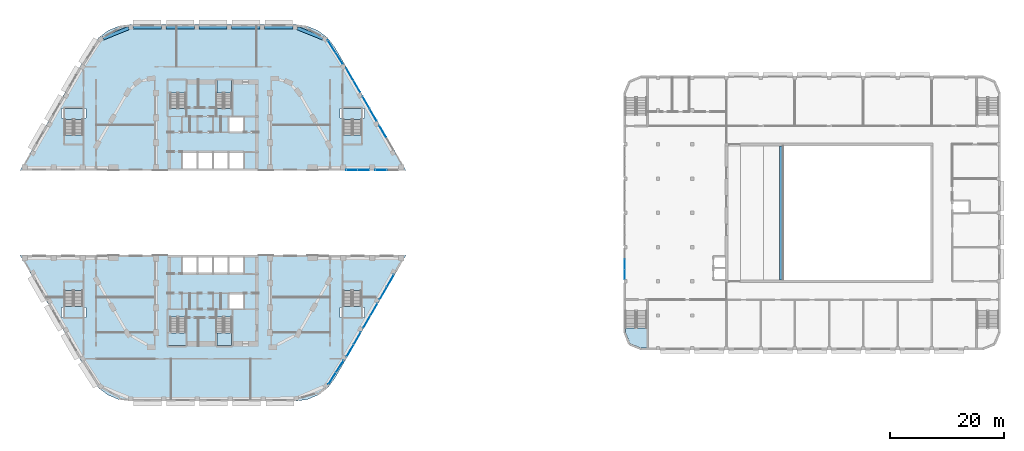
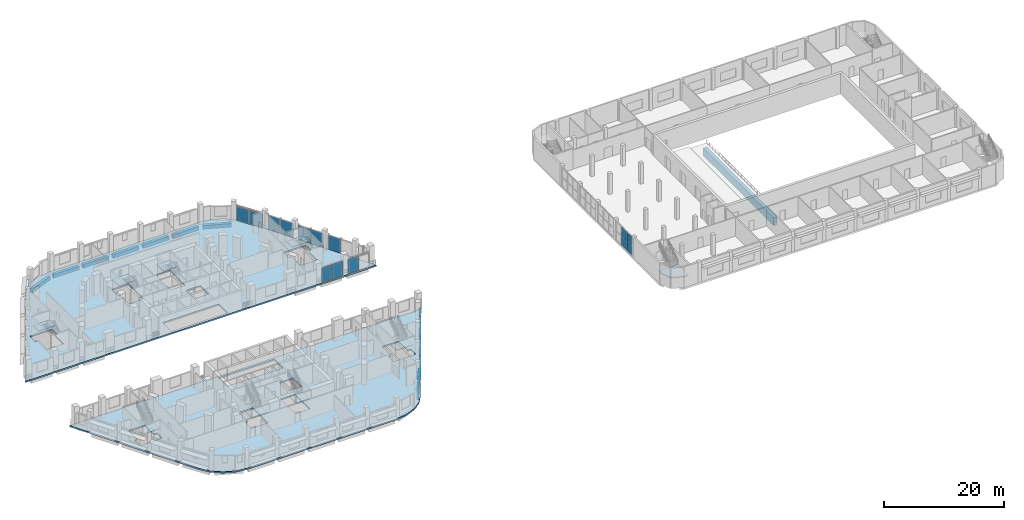
# One storey, part 10 of 45: 22 plates, 11 slabs, 8 beams, 20 elements without a shape of their own.
"""IFC4 building model written with IfcOpenShell, lengths in metres."""

from ifc_helpers import new_model, si_unit, direction, frame, origin, origin_2d, place, context, subcontext, project, spatial, polyline, rectangle, outline, extrude, material, layer, layer_set, material_profile, profile_set, type_object, element, aggregate, save


model = new_model("IFC4")

# Units and contexts
model_context = context("Model", 3, precision=1e-05, world=origin(), true_north=direction((0.0, 1.0)))
body_context = subcontext(model_context, "Body", "Model", "MODEL_VIEW")
ifc_project = project(units=[si_unit("LENGTHUNIT", "METRE"), si_unit("AREAUNIT", "SQUARE_METRE"), si_unit("VOLUMEUNIT", "CUBIC_METRE"), si_unit("PLANEANGLEUNIT", "RADIAN"), si_unit("MASSUNIT", "GRAM", prefix="KILO")], contexts=[model_context])

# Site, building, storey
site_placement = place(None, origin())
site = spatial("IfcSite", under=ifc_project, at=site_placement, CompositionType="ELEMENT")
building_placement = place(site_placement, origin())
building = spatial("IfcBuilding", under=site, at=building_placement, Name="Nakaniwa Court", CompositionType="ELEMENT")
storey_placement = place(building_placement, frame((0.0, 0.0, 11.39990234375)))
storey = spatial("IfcBuildingStorey", under=building, at=storey_placement, Name="L02", CompositionType="ELEMENT", Elevation=11.39990234375)

# Beams
ifc_material_1 = material(Name="Concrete C100/115", Category="concrete")
ifc_material_profile_1 = material_profile(ifc_material_1, rectangle(XDim=0.60009765625, YDim=0.75, at=origin_2d()), Name="Concrete C100/115 RC 600x750 ring beam")
ifc_profile_set_1 = profile_set([ifc_material_profile_1], Name="Concrete C100/115")
beam_type_1 = type_object("IfcBeamType", Name="Concrete C100/115 RC 600x750 ring beam", PredefinedType="BEAM", material=ifc_profile_set_1)
beam_1_placement = place(storey_placement, frame((65.212646484375, 112.39453125, -0.6748046875), z_axis=(-0.926515861433, -0.376255708945, 0.0), x_axis=(0.376255708945, -0.926515861433, 0.0)))
element("IfcBeam", 1, at=beam_1_placement, inside=storey, type_object=beam_type_1, Name="RING BEAM", PredefinedType="BEAM", context=body_context, shape_type="SweptSolid", body=[
    extrude(rectangle(XDim=0.60009765625, YDim=0.75, at=origin_2d()), origin(), (0.0, 0.0, 1.0), 4.857421875),
])
beam_2_placement = place(storey_placement, frame((99.276123046875, 110.575439453125, -0.6748046875), z_axis=(-0.926771165267, 0.375626419771, 0.0), x_axis=(-0.375626419771, -0.926771165267, 0.0)))
element("IfcBeam", 2, at=beam_2_placement, inside=storey, type_object=beam_type_1, Name="RING BEAM", PredefinedType="BEAM", context=body_context, shape_type="SweptSolid", body=[
    extrude(rectangle(XDim=0.60009765625, YDim=0.75, at=origin_2d()), origin(), (0.0, 0.0, 1.0), 4.8251953125),
])
beam_3_placement = place(storey_placement, frame((94.00439453125, 112.550048828125, -0.6748046875), z_axis=(-1.0, 0.0, 0.0), x_axis=(0.0, -1.0, 0.0)))
element("IfcBeam", 3, at=beam_3_placement, inside=storey, type_object=beam_type_1, Name="RING BEAM", PredefinedType="BEAM", context=body_context, shape_type="SweptSolid", body=[
    extrude(rectangle(XDim=0.60009765625, YDim=0.75, at=origin_2d()), origin(), (0.0, 0.0, 1.0), 4.9619140625),
])
beam_4_placement = place(storey_placement, frame((88.24267578125, 112.550048828125, -0.6748046875), z_axis=(-1.0, 0.0, 0.0), x_axis=(0.0, -1.0, 0.0)))
element("IfcBeam", 4, at=beam_4_placement, inside=storey, type_object=beam_type_1, Name="RING BEAM", PredefinedType="BEAM", context=body_context, shape_type="SweptSolid", body=[
    extrude(rectangle(XDim=0.60009765625, YDim=0.75, at=origin_2d()), origin(), (0.0, 0.0, 1.0), 4.961669921875),
])
beam_5_placement = place(storey_placement, frame((82.48095703125, 112.550048828125, -0.6748046875), z_axis=(-1.0, 0.0, 0.0), x_axis=(0.0, -1.0, 0.0)))
element("IfcBeam", 5, at=beam_5_placement, inside=storey, type_object=beam_type_1, Name="RING BEAM", PredefinedType="BEAM", context=body_context, shape_type="SweptSolid", body=[
    extrude(rectangle(XDim=0.60009765625, YDim=0.75, at=origin_2d()), origin(), (0.0, 0.0, 1.0), 4.9619140625),
])
beam_6_placement = place(storey_placement, frame((76.718994140625, 112.550048828125, -0.6748046875), z_axis=(-1.0, 0.0, 0.0), x_axis=(0.0, -1.0, 0.0)))
element("IfcBeam", 6, at=beam_6_placement, inside=storey, type_object=beam_type_1, Name="RING BEAM", PredefinedType="BEAM", context=body_context, shape_type="SweptSolid", body=[
    extrude(rectangle(XDim=0.60009765625, YDim=0.75, at=origin_2d()), origin(), (0.0, 0.0, 1.0), 4.961669921875),
])
beam_7_placement = place(storey_placement, frame((70.95751953125, 112.550048828125, -0.6748046875), z_axis=(-1.0, 0.0, 0.0), x_axis=(0.0, -1.0, 0.0)))
element("IfcBeam", 7, at=beam_7_placement, inside=storey, type_object=beam_type_1, Name="RING BEAM", PredefinedType="BEAM", context=body_context, shape_type="SweptSolid", body=[
    extrude(rectangle(XDim=0.60009765625, YDim=0.75, at=origin_2d()), origin(), (0.0, 0.0, 1.0), 4.958251953125),
])
ifc_material_2 = material(Name="Concrete C50/60", Category="concrete")
ifc_material_profile_2 = material_profile(ifc_material_2, rectangle(XDim=0.699951171875, YDim=1.60009765625, at=origin_2d()), Name="RC 700x1600")
ifc_profile_set_2 = profile_set([ifc_material_profile_2], Name="Concrete C50/60")
beam_type_2 = type_object("IfcBeamType", Name="Tier front beam RC 700x1600 C50/60", PredefinedType="BEAM", material=ifc_profile_set_2)
beam_8_placement = place(storey_placement, frame((179.64990234375, 68.25, -2.5), z_axis=(0.0, 1.0, 0.0), x_axis=(-1.0, 0.0, 0.0)))
element("IfcBeam", 8, at=beam_8_placement, inside=storey, type_object=beam_type_2, Name="Tier front beam L02", PredefinedType="BEAM", context=body_context, shape_type="SweptSolid", body=[
    extrude(rectangle(XDim=0.699951171875, YDim=1.60009765625, at=origin_2d()), origin(), (0.0, 0.0, 1.0), 23.5),
])

# Slabs
ifc_layer_1 = layer(ifc_material_1, 0.300048828125)
ifc_layer_set_1 = layer_set([ifc_layer_1], Name="Concrete C100/115")
slab_type_1 = type_object("IfcSlabType", Name="Concrete C100/115 post tensioned floor slab 300", PredefinedType="FLOOR", material=ifc_layer_set_1)
slab_1_placement = place(storey_placement, frame((0.0, 0.0, -0.2998046875)))
element("IfcSlab", 9, at=slab_1_placement, inside=storey, type_object=slab_type_1, Name="FLOOR SLAB", PredefinedType="FLOOR", context=body_context, shape_type="SweptSolid", body=[
    extrude(outline(polyline([(101.362060546875, 51.0), (113.832763671875, 72.60009765625), (46.167236328125, 72.60009765625), (58.637939453125, 51.0), (59.909423828125, 49.343017578125), (61.566162109375, 48.07177734375), (63.49560546875, 47.272705078125), (65.566162109375, 47.0), (94.433837890625, 47.0), (96.50439453125, 47.272705078125), (98.433837890625, 48.07177734375), (100.090576171875, 49.343017578125), (101.362060546875, 51.0)]), holes=[polyline([(72.0849609375, 58.764892578125), (72.0849609375, 56.68505859375), (75.264892578125, 56.68505859375), (75.264892578125, 58.764892578125), (75.22509765625, 58.764892578125), (75.22509765625, 61.7099609375), (72.47509765625, 61.7099609375), (72.47509765625, 58.764892578125), (72.0849609375, 58.764892578125)]), polyline([(53.93505859375, 61.675048828125), (53.93505859375, 61.635009765625), (57.215087890625, 61.635009765625), (57.215087890625, 61.675048828125), (57.72509765625, 61.675048828125), (57.72509765625, 63.375), (57.215087890625, 63.375), (57.215087890625, 63.4150390625), (57.125, 63.4150390625), (57.125, 66.360107421875), (53.97509765625, 66.360107421875), (53.97509765625, 63.4150390625), (53.93505859375, 63.4150390625), (53.93505859375, 63.375), (53.425048828125, 63.375), (53.425048828125, 61.675048828125), (53.93505859375, 61.675048828125)]), polyline([(77.300048828125, 69.300048828125), (80.0, 69.300048828125), (82.699951171875, 69.300048828125), (85.39990234375, 69.300048828125), (85.39990234375, 72.199951171875), (82.699951171875, 72.199951171875), (80.0, 72.199951171875), (77.300048828125, 72.199951171875), (74.60009765625, 72.199951171875), (74.60009765625, 69.300048828125), (77.300048828125, 69.300048828125)]), polyline([(80.52490234375, 57.324951171875), (80.635009765625, 57.324951171875), (80.635009765625, 56.68505859375), (83.31494140625, 56.68505859375), (83.31494140625, 58.764892578125), (83.27490234375, 58.764892578125), (83.27490234375, 61.7099609375), (80.52490234375, 61.7099609375), (80.52490234375, 57.324951171875)]), polyline([(102.784912109375, 61.675048828125), (102.784912109375, 61.635009765625), (106.06494140625, 61.635009765625), (106.06494140625, 61.675048828125), (106.574951171875, 61.675048828125), (106.574951171875, 63.375), (106.06494140625, 63.375), (106.06494140625, 63.4150390625), (105.97509765625, 63.4150390625), (105.97509765625, 66.360107421875), (102.824951171875, 66.360107421875), (102.824951171875, 63.4150390625), (102.784912109375, 63.4150390625), (102.784912109375, 63.375), (102.27490234375, 63.375), (102.27490234375, 61.675048828125), (102.784912109375, 61.675048828125)]), polyline([(85.39990234375, 63.10009765625), (85.39990234375, 65.89990234375), (82.699951171875, 65.89990234375), (82.699951171875, 63.10009765625), (85.39990234375, 63.10009765625)])]), origin(), (0.0, 0.0, 1.0), 0.2998046875),
])
slab_2_placement = place(storey_placement, frame((0.0, 0.0, -0.2998046875)))
element("IfcSlab", 10, at=slab_2_placement, inside=storey, type_object=slab_type_1, Name="FLOOR SLAB", PredefinedType="FLOOR", context=body_context, shape_type="SweptSolid", body=[
    extrude(outline(polyline([(58.637939453125, 109.0), (46.167236328125, 87.39990234375), (113.832763671875, 87.39990234375), (101.362060546875, 109.0), (100.090576171875, 110.656982421875), (98.433837890625, 111.92822265625), (96.50439453125, 112.727294921875), (94.433837890625, 113.0), (65.566162109375, 113.0), (63.49560546875, 112.727294921875), (61.566162109375, 111.92822265625), (59.909423828125, 110.656982421875), (58.637939453125, 109.0)]), holes=[polyline([(82.699951171875, 90.699951171875), (80.0, 90.699951171875), (77.300048828125, 90.699951171875), (74.60009765625, 90.699951171875), (74.60009765625, 87.800048828125), (77.300048828125, 87.800048828125), (80.0, 87.800048828125), (82.699951171875, 87.800048828125), (85.39990234375, 87.800048828125), (85.39990234375, 90.699951171875), (82.699951171875, 90.699951171875)]), polyline([(57.175048828125, 96.5849609375), (57.215087890625, 96.5849609375), (57.215087890625, 96.625), (57.72509765625, 96.625), (57.72509765625, 98.324951171875), (57.215087890625, 98.324951171875), (57.215087890625, 98.364990234375), (53.93505859375, 98.364990234375), (53.93505859375, 98.324951171875), (53.425048828125, 98.324951171875), (53.425048828125, 96.625), (53.93505859375, 96.625), (53.93505859375, 96.5849609375), (54.02490234375, 96.5849609375), (54.02490234375, 93.639892578125), (57.175048828125, 93.639892578125), (57.175048828125, 96.5849609375)]), polyline([(75.264892578125, 101.235107421875), (75.264892578125, 103.31494140625), (72.0849609375, 103.31494140625), (72.0849609375, 101.235107421875), (72.47509765625, 101.235107421875), (72.47509765625, 98.2900390625), (75.22509765625, 98.2900390625), (75.22509765625, 101.235107421875), (75.264892578125, 101.235107421875)]), polyline([(85.39990234375, 94.10009765625), (85.39990234375, 96.89990234375), (82.699951171875, 96.89990234375), (82.699951171875, 94.10009765625), (85.39990234375, 94.10009765625)]), polyline([(106.02490234375, 96.5849609375), (106.06494140625, 96.5849609375), (106.06494140625, 96.625), (106.574951171875, 96.625), (106.574951171875, 98.324951171875), (106.06494140625, 98.324951171875), (106.06494140625, 98.364990234375), (102.784912109375, 98.364990234375), (102.784912109375, 98.324951171875), (102.27490234375, 98.324951171875), (102.27490234375, 96.625), (102.784912109375, 96.625), (102.784912109375, 96.5849609375), (102.875, 96.5849609375), (102.875, 93.639892578125), (106.02490234375, 93.639892578125), (106.02490234375, 96.5849609375)]), polyline([(83.27490234375, 101.235107421875), (83.31494140625, 101.235107421875), (83.31494140625, 103.31494140625), (80.635009765625, 103.31494140625), (80.635009765625, 102.675048828125), (80.52490234375, 102.675048828125), (80.52490234375, 98.2900390625), (83.27490234375, 98.2900390625), (83.27490234375, 101.235107421875)])]), origin(), (0.0, 0.0, 1.0), 0.2998046875),
])

# Curtain wall, plates
ifc_material_3 = material(Name="Dark low-E laminated glass in black aluminium frame", Category="aluminium")
ifc_layer_2 = layer(ifc_material_3, 0.159912109375)
ifc_layer_set_2 = layer_set([ifc_layer_2], Name="Dark low-E laminated glass in black aluminium frame")
curtain_wall_type_1 = type_object("IfcCurtainWallType", Name="Hall foyer curtain wall CW6", PredefinedType="NOTDEFINED", material=ifc_layer_set_2)
curtain_wall_1_placement = place(storey_placement, origin())
curtain_wall_1 = element("IfcCurtainWall", 11, at=curtain_wall_1_placement, inside=storey, type_object=curtain_wall_type_1, Name="Foyer curtain wall L02:003", PredefinedType="NOTDEFINED")
ifc_material_4 = material(Name="Dark low-E laminated double glazing", Category="glass")
ifc_layer_3 = layer(ifc_material_4, 0.028076171875)
ifc_layer_set_3 = layer_set([ifc_layer_3], Name="Dark low-E laminated double glazing")
plate_type_1 = type_object("IfcPlateType", Name="Curtain wall glass panel 28", PredefinedType="CURTAIN_PANEL", material=ifc_layer_set_3)
plate_1_placement = place(storey_placement, frame((152.14990234375, 69.215087890625, 0.06005859375), z_axis=(0.0, 0.0, 1.0), x_axis=(0.0, 1.0, 0.0)))
plate_1 = element("IfcPlate", 12, at=plate_1_placement, type_object=plate_type_1, Name="HCW-05 panel 1.1", PredefinedType="CURTAIN_PANEL", context=body_context, shape_type="SweptSolid", body=[
    extrude(rectangle(XDim=1.7099609375, YDim=0.028076171875, at=origin_2d()), origin(), (0.0, 0.0, 1.0), 1.8349609375),
])
plate_2_placement = place(storey_placement, frame((152.14990234375, 69.215087890625, 1.955078125), z_axis=(0.0, 0.0, 1.0), x_axis=(0.0, 1.0, 0.0)))
plate_2 = element("IfcPlate", 13, at=plate_2_placement, type_object=plate_type_1, Name="HCW-05 panel 1.2", PredefinedType="CURTAIN_PANEL", context=body_context, shape_type="SweptSolid", body=[
    extrude(rectangle(XDim=1.7099609375, YDim=0.028076171875, at=origin_2d()), origin(), (0.0, 0.0, 1.0), 1.8349609375),
])
plate_3_placement = place(storey_placement, frame((152.14990234375, 71.0, 0.06005859375), z_axis=(0.0, 0.0, 1.0), x_axis=(0.0, 1.0, 0.0)))
plate_3 = element("IfcPlate", 14, at=plate_3_placement, type_object=plate_type_1, Name="HCW-05 panel 2.1", PredefinedType="CURTAIN_PANEL", context=body_context, shape_type="SweptSolid", body=[
    extrude(rectangle(XDim=1.739990234375, YDim=0.028076171875, at=origin_2d()), origin(), (0.0, 0.0, 1.0), 1.8349609375),
])
plate_4_placement = place(storey_placement, frame((152.14990234375, 71.0, 1.955078125), z_axis=(0.0, 0.0, 1.0), x_axis=(0.0, 1.0, 0.0)))
plate_4 = element("IfcPlate", 15, at=plate_4_placement, type_object=plate_type_1, Name="HCW-05 panel 2.2", PredefinedType="CURTAIN_PANEL", context=body_context, shape_type="SweptSolid", body=[
    extrude(rectangle(XDim=1.739990234375, YDim=0.028076171875, at=origin_2d()), origin(), (0.0, 0.0, 1.0), 1.8349609375),
])
aggregate(curtain_wall_1, [plate_1, plate_2, plate_3, plate_4])

# Stair, slab
ifc_material_5 = material(Name="Concrete C40/50", Category="concrete")
stair_type_1 = type_object("IfcStairType", Name="Hall exit stair 24 risers", PredefinedType="HALF_TURN_STAIR", material=ifc_material_5)
stair_1_placement = place(storey_placement, origin())
stair_1 = element("IfcStair", 16, at=stair_1_placement, inside=storey, type_object=stair_type_1, Name="L02 Exit stair 1", PredefinedType="HALF_TURN_STAIR")
ifc_layer_4 = layer(ifc_material_5, 0.199951171875)
ifc_layer_set_4 = layer_set([ifc_layer_4], Name="Concrete C40/50")
slab_type_2 = type_object("IfcSlabType", Name="Hall stair landing 200", PredefinedType="LANDING", material=ifc_layer_set_4)
slab_3_placement = place(storey_placement, frame((0.0, 0.0, 1.900146484375)))
slab_3 = element("IfcSlab", 17, at=slab_3_placement, type_object=slab_type_2, Name="ST-H1 landing 1", PredefinedType="LANDING", context=body_context, shape_type="SweptSolid", body=[
    extrude(outline(polyline([(152.300048828125, 59.0), (153.0908203125, 57.0908203125), (155.0, 56.300048828125), (156.050048828125, 56.300048828125), (156.050048828125, 59.780029296875), (152.300048828125, 59.780029296875), (152.300048828125, 59.0)])), origin(), (0.0, 0.0, 1.0), 0.199951171875),
])
aggregate(stair_1, [slab_3])

# Curtain wall, plates
ifc_material_6 = material(Name="Black anodised aluminium frame with dark low-E laminated double glazing", Category="aluminium")
ifc_layer_5 = layer(ifc_material_6, 0.199951171875)
ifc_layer_set_5 = layer_set([ifc_layer_5], Name="Black anodised aluminium frame with dark low-E laminated double glazing")
curtain_wall_type_2 = type_object("IfcCurtainWallType", Name="Podium unitised curtain wall", PredefinedType="NOTDEFINED", material=ifc_layer_set_5)
curtain_wall_2_placement = place(storey_placement, origin())
curtain_wall_2 = element("IfcCurtainWall", 18, at=curtain_wall_2_placement, inside=storey, type_object=curtain_wall_type_2, Name="L02 curtain wall CW1 00", PredefinedType="NOTDEFINED")
ifc_material_7 = material(Name="Dark toughened glass", Category="glass")
ifc_layer_6 = layer(ifc_material_7, 0.008, Name="Outer pane")
ifc_material_8 = material(Name="Argon filled cavity")
ifc_layer_7 = layer(ifc_material_8, 0.016, Name="Cavity")
ifc_material_9 = material(Name="Dark laminated safety glass", Category="glass")
ifc_layer_8 = layer(ifc_material_9, 0.008, Name="Inner pane")
ifc_layer_set_6 = layer_set([ifc_layer_6, ifc_layer_7, ifc_layer_8], Name="Dark low-E laminated double glazing")
plate_type_2 = type_object("IfcPlateType", Name="Podium unitised curtain wall glass panel", PredefinedType="CURTAIN_PANEL", material=ifc_layer_set_6)
plate_5_placement = place(storey_placement, frame((104.056640625, 55.8671875, 0.050048828125), z_axis=(0.0, 0.0, 1.0), x_axis=(0.499979299736, 0.866037354758, 0.0)))
plate_5 = element("IfcPlate", 19, at=plate_5_placement, type_object=plate_type_2, Name="CW1 panel 1.1", PredefinedType="CURTAIN_PANEL", context=body_context, shape_type="SweptSolid", body=[
    extrude(rectangle(XDim=2.40771484375, YDim=0.031982421875, at=origin_2d()), origin(), (0.0, 0.0, 1.0), 2.89990234375),
])
plate_6_placement = place(storey_placement, frame((105.29296875, 58.008544921875, 0.050048828125), z_axis=(0.0, 0.0, 1.0), x_axis=(0.499979299736, 0.866037354758, 0.0)))
plate_6 = element("IfcPlate", 20, at=plate_6_placement, type_object=plate_type_2, Name="CW1 panel 2.1", PredefinedType="CURTAIN_PANEL", context=body_context, shape_type="SweptSolid", body=[
    extrude(rectangle(XDim=2.40771484375, YDim=0.031982421875, at=origin_2d()), origin(), (0.0, 0.0, 1.0), 2.89990234375),
])
aggregate(curtain_wall_2, [plate_5, plate_6])

curtain_wall_3_placement = place(storey_placement, origin())
curtain_wall_3 = element("IfcCurtainWall", 21, at=curtain_wall_3_placement, inside=storey, type_object=curtain_wall_type_2, Name="L02 curtain wall CW1 01", PredefinedType="NOTDEFINED")
plate_7_placement = place(storey_placement, frame((106.957763671875, 60.89208984375, 0.050048828125), z_axis=(0.0, 0.0, 1.0), x_axis=(0.499987941889, 0.866032365426, 0.0)))
plate_7 = element("IfcPlate", 22, at=plate_7_placement, type_object=plate_type_2, Name="CW1 panel 1.1", PredefinedType="CURTAIN_PANEL", context=body_context, shape_type="SweptSolid", body=[
    extrude(rectangle(XDim=2.40771484375, YDim=0.031982421875, at=origin_2d()), origin(), (0.0, 0.0, 1.0), 2.89990234375),
])
plate_8_placement = place(storey_placement, frame((108.194091796875, 63.033447265625, 0.050048828125), z_axis=(0.0, 0.0, 1.0), x_axis=(0.499987941889, 0.866032365426, 0.0)))
plate_8 = element("IfcPlate", 23, at=plate_8_placement, type_object=plate_type_2, Name="CW1 panel 2.1", PredefinedType="CURTAIN_PANEL", context=body_context, shape_type="SweptSolid", body=[
    extrude(rectangle(XDim=2.40771484375, YDim=0.031982421875, at=origin_2d()), origin(), (0.0, 0.0, 1.0), 2.89990234375),
])
aggregate(curtain_wall_3, [plate_7, plate_8])

curtain_wall_4_placement = place(storey_placement, origin())
curtain_wall_4 = element("IfcCurtainWall", 24, at=curtain_wall_4_placement, inside=storey, type_object=curtain_wall_type_2, Name="L02 curtain wall CW1 02", PredefinedType="NOTDEFINED")
plate_9_placement = place(storey_placement, frame((109.85888671875, 65.9169921875, 0.050048828125), z_axis=(0.0, 0.0, 1.0), x_axis=(0.500002911009, 0.866023723106, 0.0)))
plate_9 = element("IfcPlate", 25, at=plate_9_placement, type_object=plate_type_2, Name="CW1 panel 1.1", PredefinedType="CURTAIN_PANEL", context=body_context, shape_type="SweptSolid", body=[
    extrude(rectangle(XDim=2.40771484375, YDim=0.031982421875, at=origin_2d()), origin(), (0.0, 0.0, 1.0), 2.89990234375),
])
plate_10_placement = place(storey_placement, frame((111.09521484375, 68.058349609375, 0.050048828125), z_axis=(0.0, 0.0, 1.0), x_axis=(0.500002911009, 0.866023723106, 0.0)))
plate_10 = element("IfcPlate", 26, at=plate_10_placement, type_object=plate_type_2, Name="CW1 panel 2.1", PredefinedType="CURTAIN_PANEL", context=body_context, shape_type="SweptSolid", body=[
    extrude(rectangle(XDim=2.40771484375, YDim=0.031982421875, at=origin_2d()), origin(), (0.0, 0.0, 1.0), 2.89990234375),
])
aggregate(curtain_wall_4, [plate_9, plate_10])

curtain_wall_5_placement = place(storey_placement, origin())
curtain_wall_5 = element("IfcCurtainWall", 27, at=curtain_wall_5_placement, inside=storey, type_object=curtain_wall_type_2, Name="L02 curtain wall CW1 26", PredefinedType="NOTDEFINED")
plate_11_placement = place(storey_placement, frame((100.89794921875, 50.982177734375, 0.050048828125), z_axis=(0.0, 0.0, 1.0), x_axis=(0.534596725914, 0.845107295343, 0.0)))
plate_11 = element("IfcPlate", 28, at=plate_11_placement, type_object=plate_type_2, Name="CW1 panel 1.1", PredefinedType="CURTAIN_PANEL", context=body_context, shape_type="SweptSolid", body=[
    extrude(rectangle(XDim=2.413330078125, YDim=0.031982421875, at=origin_2d()), origin(), (0.0, 0.0, 1.0), 2.89990234375),
])
plate_12_placement = place(storey_placement, frame((102.222900390625, 53.07666015625, 0.050048828125), z_axis=(0.0, 0.0, 1.0), x_axis=(0.534596725914, 0.845107295343, 0.0)))
plate_12 = element("IfcPlate", 29, at=plate_12_placement, type_object=plate_type_2, Name="CW1 panel 2.1", PredefinedType="CURTAIN_PANEL", context=body_context, shape_type="SweptSolid", body=[
    extrude(rectangle(XDim=2.413330078125, YDim=0.031982421875, at=origin_2d()), origin(), (0.0, 0.0, 1.0), 2.89990234375),
])
aggregate(curtain_wall_5, [plate_11, plate_12])

curtain_wall_6_placement = place(storey_placement, origin())
curtain_wall_6 = element("IfcCurtainWall", 30, at=curtain_wall_6_placement, inside=storey, type_object=curtain_wall_type_2, Name="L02 curtain wall CW1 37", PredefinedType="NOTDEFINED")
plate_13_placement = place(storey_placement, frame((104.358642578125, 87.5, 0.050048828125), z_axis=(0.0, 0.0, 1.0), x_axis=(1.0, 0.0, 0.0)))
plate_13 = element("IfcPlate", 31, at=plate_13_placement, type_object=plate_type_2, Name="CW1 panel 1.1", PredefinedType="CURTAIN_PANEL", context=body_context, shape_type="SweptSolid", body=[
    extrude(rectangle(XDim=1.949462890625, YDim=0.031982421875, at=origin_2d()), origin(), (0.0, 0.0, 1.0), 2.89990234375),
])
plate_14_placement = place(storey_placement, frame((106.373291015625, 87.5, 0.050048828125), z_axis=(0.0, 0.0, 1.0), x_axis=(1.0, 0.0, 0.0)))
plate_14 = element("IfcPlate", 32, at=plate_14_placement, type_object=plate_type_2, Name="CW1 panel 2.1", PredefinedType="CURTAIN_PANEL", context=body_context, shape_type="SweptSolid", body=[
    extrude(rectangle(XDim=1.949462890625, YDim=0.031982421875, at=origin_2d()), origin(), (0.0, 0.0, 1.0), 2.89990234375),
])
aggregate(curtain_wall_6, [plate_13, plate_14])

# Curtain wall, plate
curtain_wall_7_placement = place(storey_placement, origin())
curtain_wall_7 = element("IfcCurtainWall", 33, at=curtain_wall_7_placement, inside=storey, type_object=curtain_wall_type_2, Name="L02 curtain wall CW1 38", PredefinedType="NOTDEFINED")
plate_15_placement = place(storey_placement, frame((109.445068359375, 87.5, 0.050048828125), z_axis=(0.0, 0.0, 1.0), x_axis=(1.0, 0.0, 0.0)))
plate_15 = element("IfcPlate", 34, at=plate_15_placement, type_object=plate_type_2, Name="CW1 panel 1.1", PredefinedType="CURTAIN_PANEL", context=body_context, shape_type="SweptSolid", body=[
    extrude(rectangle(XDim=1.949951171875, YDim=0.031982421875, at=origin_2d()), origin(), (0.0, 0.0, 1.0), 2.89990234375),
])
aggregate(curtain_wall_7, [plate_15])

curtain_wall_8_placement = place(storey_placement, origin())
curtain_wall_8 = element("IfcCurtainWall", 35, at=curtain_wall_8_placement, inside=storey, type_object=curtain_wall_type_2, Name="L02 curtain wall CW1 40", PredefinedType="NOTDEFINED")
plate_16_placement = place(storey_placement, frame((109.757568359375, 94.258544921875, 0.050048828125), z_axis=(0.0, 0.0, 1.0), x_axis=(-0.499987941889, 0.866032365426, 0.0)))
plate_16 = element("IfcPlate", 36, at=plate_16_placement, type_object=plate_type_2, Name="CW1 panel 2.1", PredefinedType="CURTAIN_PANEL", context=body_context, shape_type="SweptSolid", body=[
    extrude(rectangle(XDim=2.40771484375, YDim=0.031982421875, at=origin_2d()), origin(), (0.0, 0.0, 1.0), 2.89990234375),
])
aggregate(curtain_wall_8, [plate_16])

# Curtain wall, plates
curtain_wall_9_placement = place(storey_placement, origin())
curtain_wall_9 = element("IfcCurtainWall", 37, at=curtain_wall_9_placement, inside=storey, type_object=curtain_wall_type_2, Name="L02 curtain wall CW1 41", PredefinedType="NOTDEFINED")
plate_17_placement = place(storey_placement, frame((108.0927734375, 97.14208984375, 0.050048828125), z_axis=(0.0, 0.0, 1.0), x_axis=(-0.499994268761, 0.866028712692, 0.0)))
plate_17 = element("IfcPlate", 38, at=plate_17_placement, type_object=plate_type_2, Name="CW1 panel 1.1", PredefinedType="CURTAIN_PANEL", context=body_context, shape_type="SweptSolid", body=[
    extrude(rectangle(XDim=2.40771484375, YDim=0.031982421875, at=origin_2d()), origin(), (0.0, 0.0, 1.0), 2.89990234375),
])
plate_18_placement = place(storey_placement, frame((106.8564453125, 99.283447265625, 0.050048828125), z_axis=(0.0, 0.0, 1.0), x_axis=(-0.499994268761, 0.866028712692, 0.0)))
plate_18 = element("IfcPlate", 39, at=plate_18_placement, type_object=plate_type_2, Name="CW1 panel 2.1", PredefinedType="CURTAIN_PANEL", context=body_context, shape_type="SweptSolid", body=[
    extrude(rectangle(XDim=2.40771484375, YDim=0.031982421875, at=origin_2d()), origin(), (0.0, 0.0, 1.0), 2.89990234375),
])
aggregate(curtain_wall_9, [plate_17, plate_18])

curtain_wall_10_placement = place(storey_placement, origin())
curtain_wall_10 = element("IfcCurtainWall", 40, at=curtain_wall_10_placement, inside=storey, type_object=curtain_wall_type_2, Name="L02 curtain wall CW1 42", PredefinedType="NOTDEFINED")
plate_19_placement = place(storey_placement, frame((105.19140625, 102.1669921875, 0.050048828125), z_axis=(0.0, 0.0, 1.0), x_axis=(-0.499987941889, 0.866032365426, 0.0)))
plate_19 = element("IfcPlate", 41, at=plate_19_placement, type_object=plate_type_2, Name="CW1 panel 1.1", PredefinedType="CURTAIN_PANEL", context=body_context, shape_type="SweptSolid", body=[
    extrude(rectangle(XDim=2.40771484375, YDim=0.031982421875, at=origin_2d()), origin(), (0.0, 0.0, 1.0), 2.89990234375),
])
plate_20_placement = place(storey_placement, frame((103.955078125, 104.308349609375, 0.050048828125), z_axis=(0.0, 0.0, 1.0), x_axis=(-0.499987941889, 0.866032365426, 0.0)))
plate_20 = element("IfcPlate", 42, at=plate_20_placement, type_object=plate_type_2, Name="CW1 panel 2.1", PredefinedType="CURTAIN_PANEL", context=body_context, shape_type="SweptSolid", body=[
    extrude(rectangle(XDim=2.40771484375, YDim=0.031982421875, at=origin_2d()), origin(), (0.0, 0.0, 1.0), 2.89990234375),
])
aggregate(curtain_wall_10, [plate_19, plate_20])

curtain_wall_11_placement = place(storey_placement, origin())
curtain_wall_11 = element("IfcCurtainWall", 43, at=curtain_wall_11_placement, inside=storey, type_object=curtain_wall_type_2, Name="L02 curtain wall CW1 43", PredefinedType="NOTDEFINED")
plate_21_placement = place(storey_placement, frame((102.109619140625, 107.10205078125, 0.050048828125), z_axis=(0.0, 0.0, 1.0), x_axis=(-0.537644342899, 0.843171726606, 0.0)))
plate_21 = element("IfcPlate", 44, at=plate_21_placement, type_object=plate_type_2, Name="CW1 panel 1.1", PredefinedType="CURTAIN_PANEL", context=body_context, shape_type="SweptSolid", body=[
    extrude(rectangle(XDim=2.4306640625, YDim=0.031982421875, at=origin_2d()), origin(), (0.0, 0.0, 1.0), 2.89990234375),
])
plate_22_placement = place(storey_placement, frame((100.767822265625, 109.20654296875, 0.050048828125), z_axis=(0.0, 0.0, 1.0), x_axis=(-0.537644342899, 0.843171726606, 0.0)))
plate_22 = element("IfcPlate", 45, at=plate_22_placement, type_object=plate_type_2, Name="CW1 panel 2.1", PredefinedType="CURTAIN_PANEL", context=body_context, shape_type="SweptSolid", body=[
    extrude(rectangle(XDim=2.4306640625, YDim=0.031982421875, at=origin_2d()), origin(), (0.0, 0.0, 1.0), 2.89990234375),
])
aggregate(curtain_wall_11, [plate_21, plate_22])

# Stair, slab
ifc_material_10 = material(Name="Concrete C80/100", Category="concrete")
stair_type_2 = type_object("IfcStairType", Name="Dog leg stair 1300 wide 24 risers", PredefinedType="HALF_TURN_STAIR", material=ifc_material_10)
stair_2_placement = place(storey_placement, origin())
stair_2 = element("IfcStair", 46, at=stair_2_placement, inside=storey, type_object=stair_type_2, Name="L02 Stair ST1", PredefinedType="HALF_TURN_STAIR")
ifc_layer_9 = layer(ifc_material_10, 0.199951171875)
ifc_layer_set_7 = layer_set([ifc_layer_9], Name="Concrete C80/100")
slab_type_3 = type_object("IfcSlabType", Name="Stair landing concrete", PredefinedType="LANDING", material=ifc_layer_set_7)
slab_4_placement = place(storey_placement, frame((0.0, 0.0, 1.900146484375)))
slab_4 = element("IfcSlab", 47, at=slab_4_placement, type_object=slab_type_3, Name="ST1 landing 1", PredefinedType="LANDING", context=body_context, shape_type="SweptSolid", body=[
    extrude(outline(polyline([(75.22509765625, 101.02490234375), (75.22509765625, 103.27490234375), (72.125, 103.27490234375), (72.125, 101.02490234375), (75.22509765625, 101.02490234375)])), origin(), (0.0, 0.0, 1.0), 0.199951171875),
])
aggregate(stair_2, [slab_4])

stair_3_placement = place(storey_placement, origin())
stair_3 = element("IfcStair", 48, at=stair_3_placement, inside=storey, type_object=stair_type_2, Name="L02 Stair ST2", PredefinedType="HALF_TURN_STAIR")
slab_5_placement = place(storey_placement, frame((0.0, 0.0, 1.900146484375)))
slab_5 = element("IfcSlab", 49, at=slab_5_placement, type_object=slab_type_3, Name="ST2 landing 1", PredefinedType="LANDING", context=body_context, shape_type="SweptSolid", body=[
    extrude(outline(polyline([(83.27490234375, 101.02490234375), (83.27490234375, 103.27490234375), (80.675048828125, 103.27490234375), (80.675048828125, 101.02490234375), (83.27490234375, 101.02490234375)])), origin(), (0.0, 0.0, 1.0), 0.199951171875),
])
aggregate(stair_3, [slab_5])

stair_4_placement = place(storey_placement, origin())
stair_4 = element("IfcStair", 50, at=stair_4_placement, inside=storey, type_object=stair_type_2, Name="L02 Stair ST3", PredefinedType="HALF_TURN_STAIR")
slab_6_placement = place(storey_placement, frame((0.0, 0.0, 1.900146484375)))
slab_6 = element("IfcSlab", 51, at=slab_6_placement, type_object=slab_type_3, Name="ST3 landing 1", PredefinedType="LANDING", context=body_context, shape_type="SweptSolid", body=[
    extrude(outline(polyline([(75.22509765625, 56.72509765625), (75.22509765625, 58.97509765625), (72.125, 58.97509765625), (72.125, 56.72509765625), (75.22509765625, 56.72509765625)])), origin(), (0.0, 0.0, 1.0), 0.199951171875),
])
aggregate(stair_4, [slab_6])

stair_5_placement = place(storey_placement, origin())
stair_5 = element("IfcStair", 52, at=stair_5_placement, inside=storey, type_object=stair_type_2, Name="L02 Stair ST4", PredefinedType="HALF_TURN_STAIR")
slab_7_placement = place(storey_placement, frame((0.0, 0.0, 1.900146484375)))
slab_7 = element("IfcSlab", 53, at=slab_7_placement, type_object=slab_type_3, Name="ST4 landing 1", PredefinedType="LANDING", context=body_context, shape_type="SweptSolid", body=[
    extrude(outline(polyline([(83.27490234375, 56.72509765625), (83.27490234375, 58.97509765625), (80.675048828125, 58.97509765625), (80.675048828125, 56.72509765625), (83.27490234375, 56.72509765625)])), origin(), (0.0, 0.0, 1.0), 0.199951171875),
])
aggregate(stair_5, [slab_7])

stair_type_3 = type_object("IfcStairType", Name="Dog leg stair 1500 wide 24 risers", PredefinedType="HALF_TURN_STAIR", material=ifc_material_10)
stair_6_placement = place(storey_placement, origin())
stair_6 = element("IfcStair", 54, at=stair_6_placement, inside=storey, type_object=stair_type_3, Name="L02 Stair SS1", PredefinedType="HALF_TURN_STAIR")
slab_8_placement = place(storey_placement, frame((0.0, 0.0, 1.900146484375)))
slab_8 = element("IfcSlab", 55, at=slab_8_placement, type_object=slab_type_3, Name="SS1 landing 1", PredefinedType="LANDING", context=body_context, shape_type="SweptSolid", body=[
    extrude(outline(polyline([(106.02490234375, 96.375), (106.02490234375, 98.324951171875), (102.824951171875, 98.324951171875), (102.824951171875, 96.375), (106.02490234375, 96.375)])), origin(), (0.0, 0.0, 1.0), 0.199951171875),
])
aggregate(stair_6, [slab_8])

stair_7_placement = place(storey_placement, origin())
stair_7 = element("IfcStair", 56, at=stair_7_placement, inside=storey, type_object=stair_type_3, Name="L02 Stair SS2", PredefinedType="HALF_TURN_STAIR")
slab_9_placement = place(storey_placement, frame((0.0, 0.0, 1.900146484375)))
slab_9 = element("IfcSlab", 57, at=slab_9_placement, type_object=slab_type_3, Name="SS2 landing 1", PredefinedType="LANDING", context=body_context, shape_type="SweptSolid", body=[
    extrude(outline(polyline([(57.175048828125, 96.375), (57.175048828125, 98.324951171875), (53.97509765625, 98.324951171875), (53.97509765625, 96.375), (57.175048828125, 96.375)])), origin(), (0.0, 0.0, 1.0), 0.199951171875),
])
aggregate(stair_7, [slab_9])

stair_8_placement = place(storey_placement, origin())
stair_8 = element("IfcStair", 58, at=stair_8_placement, inside=storey, type_object=stair_type_3, Name="L02 Stair SS3", PredefinedType="HALF_TURN_STAIR")
slab_10_placement = place(storey_placement, frame((0.0, 0.0, 1.900146484375)))
slab_10 = element("IfcSlab", 59, at=slab_10_placement, type_object=slab_type_3, Name="SS3 landing 1", PredefinedType="LANDING", context=body_context, shape_type="SweptSolid", body=[
    extrude(outline(polyline([(106.02490234375, 61.675048828125), (106.02490234375, 63.625), (102.824951171875, 63.625), (102.824951171875, 61.675048828125), (106.02490234375, 61.675048828125)])), origin(), (0.0, 0.0, 1.0), 0.199951171875),
])
aggregate(stair_8, [slab_10])

stair_9_placement = place(storey_placement, origin())
stair_9 = element("IfcStair", 60, at=stair_9_placement, inside=storey, type_object=stair_type_3, Name="L02 Stair SS4", PredefinedType="HALF_TURN_STAIR")
slab_11_placement = place(storey_placement, frame((0.0, 0.0, 1.900146484375)))
slab_11 = element("IfcSlab", 61, at=slab_11_placement, type_object=slab_type_3, Name="SS4 landing 1", PredefinedType="LANDING", context=body_context, shape_type="SweptSolid", body=[
    extrude(outline(polyline([(57.175048828125, 61.675048828125), (57.175048828125, 63.625), (53.97509765625, 63.625), (53.97509765625, 61.675048828125), (57.175048828125, 61.675048828125)])), origin(), (0.0, 0.0, 1.0), 0.199951171875),
])
aggregate(stair_9, [slab_11])

save(model, "model.ifc")
